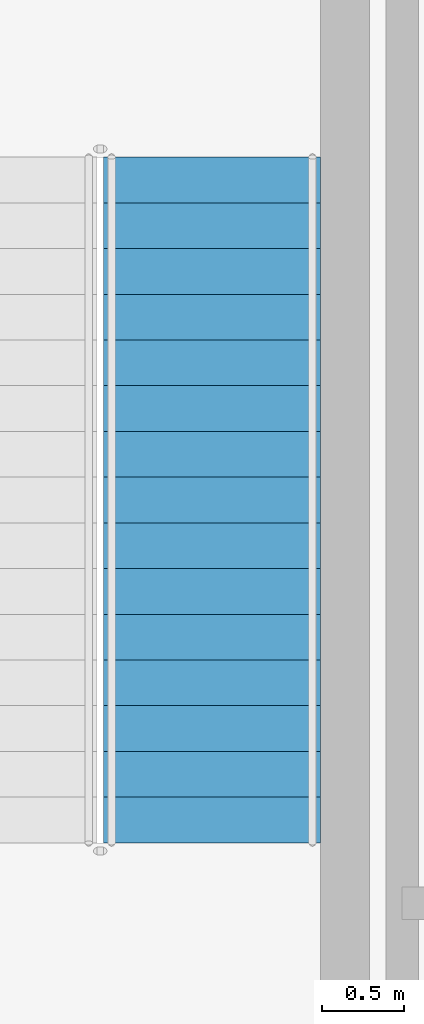
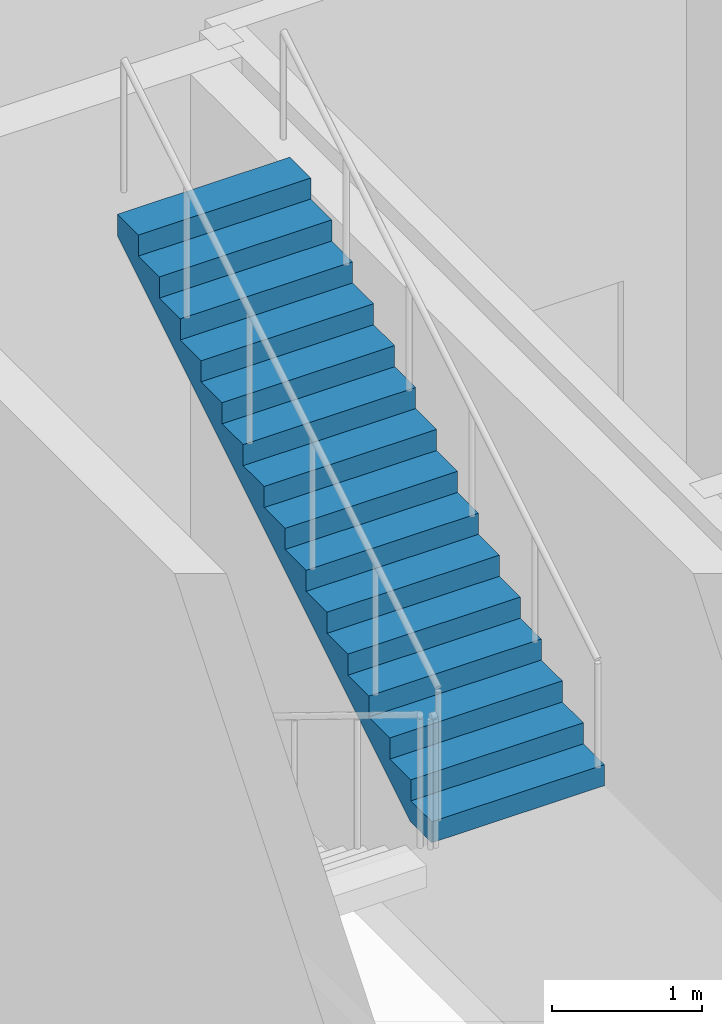
# One storey, part 16 of 31: 1 stair flight, 1 element without a shape of its own.
"""IFC4 building model written with IfcOpenShell, lengths in metres."""

from ifc_helpers import new_model, si_unit, direction, frame, origin, place, context, subcontext, project, spatial, triangles, source, transform, mapped, material, type_object, element, aggregate, save


model = new_model("IFC4")

# Units and contexts
model_context = context("Model", 3, precision=1e-05, world=origin(), true_north=direction((0.0, 1.0)))
body_context = subcontext(model_context, "Body", "Model", "MODEL_VIEW")
ifc_project = project(units=[si_unit("LENGTHUNIT", "METRE"), si_unit("AREAUNIT", "SQUARE_METRE"), si_unit("VOLUMEUNIT", "CUBIC_METRE"), si_unit("PLANEANGLEUNIT", "RADIAN"), si_unit("MASSUNIT", "GRAM", prefix="KILO")], contexts=[model_context])

# Site, building, storey
site_placement = place(None, origin())
site = spatial("IfcSite", under=ifc_project, at=site_placement, CompositionType="ELEMENT")
building_placement = place(site_placement, origin())
building = spatial("IfcBuilding", under=site, at=building_placement, Name="Ogive Portal Towers", CompositionType="ELEMENT")
storey_placement = place(building_placement, frame((0.0, 0.0, 8.0)))
storey = spatial("IfcBuildingStorey", under=building, at=storey_placement, Name="L01", CompositionType="ELEMENT", Elevation=8.0)

# Stair, stair flight
ifc_material = material(Name="Concrete C40/50", Category="concrete")
stair_type = type_object("IfcStairType", Name="INT-STAIR", PredefinedType="HALF_TURN_STAIR", material=ifc_material)
stair_placement = place(storey_placement, origin())
stair = element("IfcStair", 1, at=stair_placement, inside=storey, type_object=stair_type, Name="L01 Exit Stair ST-A4", PredefinedType="HALF_TURN_STAIR")
stair_flight_type = type_object("IfcStairFlightType", Name="INT-FLIGHT", PredefinedType="STRAIGHT", material=ifc_material)
shared_shape = source(origin(), body_context, "Body", "Tessellation", [
    triangles([(0.0, -0.6650390625, 0.0), (0.0, -0.384765625, 0.0), (0.0, -0.197021484375, 0.0), (0.0, -0.0830078125, 0.0), (0.0, -0.024658203125, 0.0), (0.0, -0.003173828125, 0.0), (0.0, 0.0, 0.0), (0.0, 0.003173828125, 0.0), (0.0, 0.024658203125, 0.0), (0.0, 0.0830078125, 0.0), (0.0, 0.197021484375, 0.0), (0.0, 0.384765625, 0.0), (0.0, 0.6650390625, 0.0), (0.0, -0.6650390625, 0.171875), (0.0, -0.384765625, 0.171875), (0.0, -0.197021484375, 0.171875), (0.0, -0.0830078125, 0.171875), (0.0, -0.024658203125, 0.171875), (0.0, -0.003173828125, 0.171875), (0.0, 0.0, 0.171875), (0.0, 0.003173828125, 0.171875), (0.0, 0.024658203125, 0.171875), (0.0, 0.0830078125, 0.171875), (0.0, 0.197021484375, 0.171875), (0.0, 0.384765625, 0.171875), (0.0, 0.6650390625, 0.171875), (0.280029296875, -0.6650390625, 0.171875), (0.280029296875, -0.384765625, 0.171875), (0.280029296875, -0.197021484375, 0.171875), (0.280029296875, -0.0830078125, 0.171875), (0.280029296875, -0.024658203125, 0.171875), (0.280029296875, -0.003173828125, 0.171875), (0.280029296875, 0.0, 0.171875), (0.280029296875, 0.003173828125, 0.171875), (0.280029296875, 0.024658203125, 0.171875), (0.280029296875, 0.0830078125, 0.171875), (0.280029296875, 0.197021484375, 0.171875), (0.280029296875, 0.384765625, 0.171875), (0.280029296875, 0.6650390625, 0.171875), (0.280029296875, -0.6650390625, 0.34375), (0.280029296875, -0.384765625, 0.34375), (0.280029296875, -0.197021484375, 0.34375), (0.280029296875, -0.0830078125, 0.34375), (0.280029296875, -0.024658203125, 0.34375), (0.280029296875, -0.003173828125, 0.34375), (0.280029296875, 0.0, 0.34375), (0.280029296875, 0.003173828125, 0.34375), (0.280029296875, 0.024658203125, 0.34375), (0.280029296875, 0.0830078125, 0.34375), (0.280029296875, 0.197021484375, 0.34375), (0.280029296875, 0.384765625, 0.34375), (0.280029296875, 0.6650390625, 0.34375), (0.56005859375, -0.6650390625, 0.34375), (0.56005859375, -0.384765625, 0.34375), (0.56005859375, -0.197021484375, 0.34375), (0.56005859375, -0.0830078125, 0.34375), (0.56005859375, -0.024658203125, 0.34375), (0.56005859375, -0.003173828125, 0.34375), (0.56005859375, 0.0, 0.34375), (0.56005859375, 0.003173828125, 0.34375), (0.56005859375, 0.024658203125, 0.34375), (0.56005859375, 0.0830078125, 0.34375), (0.56005859375, 0.197021484375, 0.34375), (0.56005859375, 0.384765625, 0.34375), (0.56005859375, 0.6650390625, 0.34375), (0.56005859375, -0.6650390625, 0.515625), (0.56005859375, -0.384765625, 0.515625), (0.56005859375, -0.197021484375, 0.515625), (0.56005859375, -0.0830078125, 0.515625), (0.56005859375, -0.024658203125, 0.515625), (0.56005859375, -0.003173828125, 0.515625), (0.56005859375, 0.0, 0.515625), (0.56005859375, 0.003173828125, 0.515625), (0.56005859375, 0.024658203125, 0.515625), (0.56005859375, 0.0830078125, 0.515625), (0.56005859375, 0.197021484375, 0.515625), (0.56005859375, 0.384765625, 0.515625), (0.56005859375, 0.6650390625, 0.515625), (0.840087890625, -0.6650390625, 0.515625), (0.840087890625, -0.384765625, 0.515625), (0.840087890625, -0.197021484375, 0.515625), (0.840087890625, -0.0830078125, 0.515625), (0.840087890625, -0.024658203125, 0.515625), (0.840087890625, -0.003173828125, 0.515625), (0.840087890625, 0.0, 0.515625), (0.840087890625, 0.003173828125, 0.515625), (0.840087890625, 0.024658203125, 0.515625), (0.840087890625, 0.0830078125, 0.515625), (0.840087890625, 0.197021484375, 0.515625), (0.840087890625, 0.384765625, 0.515625), (0.840087890625, 0.6650390625, 0.515625), (0.840087890625, -0.6650390625, 0.6875), (0.840087890625, -0.384765625, 0.6875), (0.840087890625, -0.197021484375, 0.6875), (0.840087890625, -0.0830078125, 0.6875), (0.840087890625, -0.024658203125, 0.6875), (0.840087890625, -0.003173828125, 0.6875), (0.840087890625, 0.0, 0.6875), (0.840087890625, 0.003173828125, 0.6875), (0.840087890625, 0.024658203125, 0.6875), (0.840087890625, 0.0830078125, 0.6875), (0.840087890625, 0.197021484375, 0.6875), (0.840087890625, 0.384765625, 0.6875), (0.840087890625, 0.6650390625, 0.6875), (1.1201171875, -0.6650390625, 0.6875), (1.1201171875, -0.384765625, 0.6875), (1.1201171875, -0.197021484375, 0.6875), (1.1201171875, -0.0830078125, 0.6875), (1.1201171875, -0.024658203125, 0.6875), (1.1201171875, -0.003173828125, 0.6875), (1.1201171875, 0.0, 0.6875), (1.1201171875, 0.003173828125, 0.6875), (1.1201171875, 0.024658203125, 0.6875), (1.1201171875, 0.0830078125, 0.6875), (1.1201171875, 0.197021484375, 0.6875), (1.1201171875, 0.384765625, 0.6875), (1.1201171875, 0.6650390625, 0.6875), (1.1201171875, -0.6650390625, 0.859375), (1.1201171875, -0.384765625, 0.859375), (1.1201171875, -0.197021484375, 0.859375), (1.1201171875, -0.0830078125, 0.859375), (1.1201171875, -0.024658203125, 0.859375), (1.1201171875, -0.003173828125, 0.859375), (1.1201171875, 0.0, 0.859375), (1.1201171875, 0.003173828125, 0.859375), (1.1201171875, 0.024658203125, 0.859375), (1.1201171875, 0.0830078125, 0.859375), (1.1201171875, 0.197021484375, 0.859375), (1.1201171875, 0.384765625, 0.859375), (1.1201171875, 0.6650390625, 0.859375), (1.39990234375, -0.6650390625, 0.859375), (1.39990234375, -0.384765625, 0.859375), (1.39990234375, -0.197021484375, 0.859375), (1.39990234375, -0.0830078125, 0.859375), (1.39990234375, -0.024658203125, 0.859375), (1.39990234375, -0.003173828125, 0.859375), (1.39990234375, 0.0, 0.859375), (1.39990234375, 0.003173828125, 0.859375), (1.39990234375, 0.024658203125, 0.859375), (1.39990234375, 0.0830078125, 0.859375), (1.39990234375, 0.197021484375, 0.859375), (1.39990234375, 0.384765625, 0.859375), (1.39990234375, 0.6650390625, 0.859375), (1.39990234375, -0.6650390625, 1.03125), (1.39990234375, -0.384765625, 1.03125), (1.39990234375, -0.197021484375, 1.03125), (1.39990234375, -0.0830078125, 1.03125), (1.39990234375, -0.024658203125, 1.03125), (1.39990234375, -0.003173828125, 1.03125), (1.39990234375, 0.0, 1.03125), (1.39990234375, 0.003173828125, 1.03125), (1.39990234375, 0.024658203125, 1.03125), (1.39990234375, 0.0830078125, 1.03125), (1.39990234375, 0.197021484375, 1.03125), (1.39990234375, 0.384765625, 1.03125), (1.39990234375, 0.6650390625, 1.03125), (1.679931640625, -0.6650390625, 1.03125), (1.679931640625, -0.384765625, 1.03125), (1.679931640625, -0.197021484375, 1.03125), (1.679931640625, -0.0830078125, 1.03125), (1.679931640625, -0.024658203125, 1.03125), (1.679931640625, -0.003173828125, 1.03125), (1.679931640625, 0.0, 1.03125), (1.679931640625, 0.003173828125, 1.03125), (1.679931640625, 0.024658203125, 1.03125), (1.679931640625, 0.0830078125, 1.03125), (1.679931640625, 0.197021484375, 1.03125), (1.679931640625, 0.384765625, 1.03125), (1.679931640625, 0.6650390625, 1.03125), (1.679931640625, -0.6650390625, 1.203125), (1.679931640625, -0.384765625, 1.203125), (1.679931640625, -0.197021484375, 1.203125), (1.679931640625, -0.0830078125, 1.203125), (1.679931640625, -0.024658203125, 1.203125), (1.679931640625, -0.003173828125, 1.203125), (1.679931640625, 0.0, 1.203125), (1.679931640625, 0.003173828125, 1.203125), (1.679931640625, 0.024658203125, 1.203125), (1.679931640625, 0.0830078125, 1.203125), (1.679931640625, 0.197021484375, 1.203125), (1.679931640625, 0.384765625, 1.203125), (1.679931640625, 0.6650390625, 1.203125), (1.9599609375, -0.6650390625, 1.203125), (1.9599609375, -0.384765625, 1.203125), (1.9599609375, -0.197021484375, 1.203125), (1.9599609375, -0.0830078125, 1.203125), (1.9599609375, -0.024658203125, 1.203125), (1.9599609375, -0.003173828125, 1.203125), (1.9599609375, 0.0, 1.203125), (1.9599609375, 0.003173828125, 1.203125), (1.9599609375, 0.024658203125, 1.203125), (1.9599609375, 0.0830078125, 1.203125), (1.9599609375, 0.197021484375, 1.203125), (1.9599609375, 0.384765625, 1.203125), (1.9599609375, 0.6650390625, 1.203125), (1.9599609375, -0.6650390625, 1.375), (1.9599609375, -0.384765625, 1.375), (1.9599609375, -0.197021484375, 1.375), (1.9599609375, -0.0830078125, 1.375), (1.9599609375, -0.024658203125, 1.375), (1.9599609375, -0.003173828125, 1.375), (1.9599609375, 0.0, 1.375), (1.9599609375, 0.003173828125, 1.375), (1.9599609375, 0.024658203125, 1.375), (1.9599609375, 0.0830078125, 1.375), (1.9599609375, 0.197021484375, 1.375), (1.9599609375, 0.384765625, 1.375), (1.9599609375, 0.6650390625, 1.375), (2.239990234375, -0.6650390625, 1.375), (2.239990234375, -0.384765625, 1.375), (2.239990234375, -0.197021484375, 1.375), (2.239990234375, -0.0830078125, 1.375), (2.239990234375, -0.024658203125, 1.375), (2.239990234375, -0.003173828125, 1.375), (2.239990234375, 0.0, 1.375), (2.239990234375, 0.003173828125, 1.375), (2.239990234375, 0.024658203125, 1.375), (2.239990234375, 0.0830078125, 1.375), (2.239990234375, 0.197021484375, 1.375), (2.239990234375, 0.384765625, 1.375), (2.239990234375, 0.6650390625, 1.375), (2.239990234375, -0.6650390625, 1.546875), (2.239990234375, -0.384765625, 1.546875), (2.239990234375, -0.197021484375, 1.546875), (2.239990234375, -0.0830078125, 1.546875), (2.239990234375, -0.024658203125, 1.546875), (2.239990234375, -0.003173828125, 1.546875), (2.239990234375, 0.0, 1.546875), (2.239990234375, 0.003173828125, 1.546875), (2.239990234375, 0.024658203125, 1.546875), (2.239990234375, 0.0830078125, 1.546875), (2.239990234375, 0.197021484375, 1.546875), (2.239990234375, 0.384765625, 1.546875), (2.239990234375, 0.6650390625, 1.546875), (2.52001953125, -0.6650390625, 1.546875), (2.52001953125, -0.384765625, 1.546875), (2.52001953125, -0.197021484375, 1.546875), (2.52001953125, -0.0830078125, 1.546875), (2.52001953125, -0.024658203125, 1.546875), (2.52001953125, -0.003173828125, 1.546875), (2.52001953125, 0.0, 1.546875), (2.52001953125, 0.003173828125, 1.546875), (2.52001953125, 0.024658203125, 1.546875), (2.52001953125, 0.0830078125, 1.546875), (2.52001953125, 0.197021484375, 1.546875), (2.52001953125, 0.384765625, 1.546875), (2.52001953125, 0.6650390625, 1.546875), (2.52001953125, -0.6650390625, 1.71875), (2.52001953125, -0.384765625, 1.71875), (2.52001953125, -0.197021484375, 1.71875), (2.52001953125, -0.0830078125, 1.71875), (2.52001953125, -0.024658203125, 1.71875), (2.52001953125, -0.003173828125, 1.71875), (2.52001953125, 0.0, 1.71875), (2.52001953125, 0.003173828125, 1.71875), (2.52001953125, 0.024658203125, 1.71875), (2.52001953125, 0.0830078125, 1.71875), (2.52001953125, 0.197021484375, 1.71875), (2.52001953125, 0.384765625, 1.71875), (2.52001953125, 0.6650390625, 1.71875), (2.800048828125, -0.6650390625, 1.71875), (2.800048828125, -0.384765625, 1.71875), (2.800048828125, -0.197021484375, 1.71875), (2.800048828125, -0.0830078125, 1.71875), (2.800048828125, -0.024658203125, 1.71875), (2.800048828125, -0.003173828125, 1.71875), (2.800048828125, 0.0, 1.71875), (2.800048828125, 0.003173828125, 1.71875), (2.800048828125, 0.024658203125, 1.71875), (2.800048828125, 0.0830078125, 1.71875), (2.800048828125, 0.197021484375, 1.71875), (2.800048828125, 0.384765625, 1.71875), (2.800048828125, 0.6650390625, 1.71875), (2.800048828125, -0.6650390625, 1.890625), (2.800048828125, -0.384765625, 1.890625), (2.800048828125, -0.197021484375, 1.890625), (2.800048828125, -0.0830078125, 1.890625), (2.800048828125, -0.024658203125, 1.890625), (2.800048828125, -0.003173828125, 1.890625), (2.800048828125, 0.0, 1.890625), (2.800048828125, 0.003173828125, 1.890625), (2.800048828125, 0.024658203125, 1.890625), (2.800048828125, 0.0830078125, 1.890625), (2.800048828125, 0.197021484375, 1.890625), (2.800048828125, 0.384765625, 1.890625), (2.800048828125, 0.6650390625, 1.890625), (3.080078125, -0.6650390625, 1.890625), (3.080078125, -0.384765625, 1.890625), (3.080078125, -0.197021484375, 1.890625), (3.080078125, -0.0830078125, 1.890625), (3.080078125, -0.024658203125, 1.890625), (3.080078125, -0.003173828125, 1.890625), (3.080078125, 0.0, 1.890625), (3.080078125, 0.003173828125, 1.890625), (3.080078125, 0.024658203125, 1.890625), (3.080078125, 0.0830078125, 1.890625), (3.080078125, 0.197021484375, 1.890625), (3.080078125, 0.384765625, 1.890625), (3.080078125, 0.6650390625, 1.890625), (3.080078125, -0.6650390625, 2.0625), (3.080078125, -0.384765625, 2.0625), (3.080078125, -0.197021484375, 2.0625), (3.080078125, -0.0830078125, 2.0625), (3.080078125, -0.024658203125, 2.0625), (3.080078125, -0.003173828125, 2.0625), (3.080078125, 0.0, 2.0625), (3.080078125, 0.003173828125, 2.0625), (3.080078125, 0.024658203125, 2.0625), (3.080078125, 0.0830078125, 2.0625), (3.080078125, 0.197021484375, 2.0625), (3.080078125, 0.384765625, 2.0625), (3.080078125, 0.6650390625, 2.0625), (3.360107421875, -0.6650390625, 2.0625), (3.360107421875, -0.384765625, 2.0625), (3.360107421875, -0.197021484375, 2.0625), (3.360107421875, -0.0830078125, 2.0625), (3.360107421875, -0.024658203125, 2.0625), (3.360107421875, -0.003173828125, 2.0625), (3.360107421875, 0.0, 2.0625), (3.360107421875, 0.003173828125, 2.0625), (3.360107421875, 0.024658203125, 2.0625), (3.360107421875, 0.0830078125, 2.0625), (3.360107421875, 0.197021484375, 2.0625), (3.360107421875, 0.384765625, 2.0625), (3.360107421875, 0.6650390625, 2.0625), (3.360107421875, -0.6650390625, 2.234375), (3.360107421875, -0.384765625, 2.234375), (3.360107421875, -0.197021484375, 2.234375), (3.360107421875, -0.0830078125, 2.234375), (3.360107421875, -0.024658203125, 2.234375), (3.360107421875, -0.003173828125, 2.234375), (3.360107421875, 0.0, 2.234375), (3.360107421875, 0.003173828125, 2.234375), (3.360107421875, 0.024658203125, 2.234375), (3.360107421875, 0.0830078125, 2.234375), (3.360107421875, 0.197021484375, 2.234375), (3.360107421875, 0.384765625, 2.234375), (3.360107421875, 0.6650390625, 2.234375), (3.639892578125, -0.6650390625, 2.234375), (3.639892578125, -0.384765625, 2.234375), (3.639892578125, -0.197021484375, 2.234375), (3.639892578125, -0.0830078125, 2.234375), (3.639892578125, -0.024658203125, 2.234375), (3.639892578125, -0.003173828125, 2.234375), (3.639892578125, 0.0, 2.234375), (3.639892578125, 0.003173828125, 2.234375), (3.639892578125, 0.024658203125, 2.234375), (3.639892578125, 0.0830078125, 2.234375), (3.639892578125, 0.197021484375, 2.234375), (3.639892578125, 0.384765625, 2.234375), (3.639892578125, 0.6650390625, 2.234375), (3.639892578125, -0.6650390625, 2.40625), (3.639892578125, -0.384765625, 2.40625), (3.639892578125, -0.197021484375, 2.40625), (3.639892578125, -0.0830078125, 2.40625), (3.639892578125, -0.024658203125, 2.40625), (3.639892578125, -0.003173828125, 2.40625), (3.639892578125, 0.0, 2.40625), (3.639892578125, 0.003173828125, 2.40625), (3.639892578125, 0.024658203125, 2.40625), (3.639892578125, 0.0830078125, 2.40625), (3.639892578125, 0.197021484375, 2.40625), (3.639892578125, 0.384765625, 2.40625), (3.639892578125, 0.6650390625, 2.40625), (3.919921875, -0.6650390625, 2.40625), (3.919921875, -0.384765625, 2.40625), (3.919921875, -0.197021484375, 2.40625), (3.919921875, -0.0830078125, 2.40625), (3.919921875, -0.024658203125, 2.40625), (3.919921875, -0.003173828125, 2.40625), (3.919921875, 0.0, 2.40625), (3.919921875, 0.003173828125, 2.40625), (3.919921875, 0.024658203125, 2.40625), (3.919921875, 0.0830078125, 2.40625), (3.919921875, 0.197021484375, 2.40625), (3.919921875, 0.384765625, 2.40625), (3.919921875, 0.6650390625, 2.40625), (3.919921875, -0.6650390625, 2.578125), (3.919921875, -0.384765625, 2.578125), (3.919921875, -0.197021484375, 2.578125), (3.919921875, -0.0830078125, 2.578125), (3.919921875, -0.024658203125, 2.578125), (3.919921875, -0.003173828125, 2.578125), (3.919921875, 0.0, 2.578125), (3.919921875, 0.003173828125, 2.578125), (3.919921875, 0.024658203125, 2.578125), (3.919921875, 0.0830078125, 2.578125), (3.919921875, 0.197021484375, 2.578125), (3.919921875, 0.384765625, 2.578125), (3.919921875, 0.6650390625, 2.578125), (4.199951171875, -0.6650390625, 2.578125), (4.199951171875, -0.384765625, 2.578125), (4.199951171875, -0.197021484375, 2.578125), (4.199951171875, -0.0830078125, 2.578125), (4.199951171875, -0.024658203125, 2.578125), (4.199951171875, -0.003173828125, 2.578125), (4.199951171875, 0.0, 2.578125), (4.199951171875, 0.003173828125, 2.578125), (4.199951171875, 0.024658203125, 2.578125), (4.199951171875, 0.0830078125, 2.578125), (4.199951171875, 0.197021484375, 2.578125), (4.199951171875, 0.384765625, 2.578125), (4.199951171875, 0.6650390625, 2.578125), (4.199951171875, -0.6650390625, 2.40234375), (4.199951171875, -0.384765625, 2.40234375), (4.199951171875, -0.197021484375, 2.40234375), (4.199951171875, -0.0830078125, 2.40234375), (4.199951171875, -0.024658203125, 2.40234375), (4.199951171875, -0.003173828125, 2.40234375), (4.199951171875, 0.0, 2.40234375), (4.199951171875, 0.003173828125, 2.40234375), (4.199951171875, 0.024658203125, 2.40234375), (4.199951171875, 0.0830078125, 2.40234375), (4.199951171875, 0.197021484375, 2.40234375), (4.199951171875, 0.384765625, 2.40234375), (4.199951171875, 0.6650390625, 2.40234375), (0.28662109375, -0.6650390625, 0.0), (0.28662109375, -0.384765625, 0.0), (0.28662109375, -0.197021484375, 0.0), (0.28662109375, -0.0830078125, 0.0), (0.28662109375, -0.024658203125, 0.0), (0.28662109375, -0.003173828125, 0.0), (0.28662109375, 0.0, 0.0), (0.28662109375, 0.003173828125, 0.0), (0.28662109375, 0.024658203125, 0.0), (0.28662109375, 0.0830078125, 0.0), (0.28662109375, 0.197021484375, 0.0), (0.28662109375, 0.384765625, 0.0), (0.28662109375, 0.6650390625, 0.0)], [[1, 14, 15], [1, 15, 2], [2, 15, 16], [2, 16, 3], [3, 16, 17], [3, 17, 4], [4, 17, 18], [4, 18, 5], [5, 18, 19], [5, 19, 6], [6, 19, 20], [6, 20, 7], [7, 20, 21], [7, 21, 8], [8, 21, 22], [8, 22, 9], [9, 22, 23], [9, 23, 10], [10, 23, 24], [10, 24, 11], [11, 24, 25], [11, 25, 12], [12, 25, 26], [12, 26, 13], [14, 27, 28], [14, 28, 15], [15, 28, 29], [15, 29, 16], [16, 29, 30], [16, 30, 17], [17, 30, 31], [17, 31, 18], [18, 31, 32], [18, 32, 19], [19, 32, 33], [19, 33, 20], [20, 33, 34], [20, 34, 21], [21, 34, 35], [21, 35, 22], [22, 35, 36], [22, 36, 23], [23, 36, 37], [23, 37, 24], [24, 37, 38], [24, 38, 25], [25, 38, 39], [25, 39, 26], [27, 40, 41], [27, 41, 28], [28, 41, 42], [28, 42, 29], [29, 42, 43], [29, 43, 30], [30, 43, 44], [30, 44, 31], [31, 44, 45], [31, 45, 32], [32, 45, 46], [32, 46, 33], [33, 46, 47], [33, 47, 34], [34, 47, 48], [34, 48, 35], [35, 48, 49], [35, 49, 36], [36, 49, 50], [36, 50, 37], [37, 50, 51], [37, 51, 38], [38, 51, 52], [38, 52, 39], [40, 53, 54], [40, 54, 41], [41, 54, 55], [41, 55, 42], [42, 55, 56], [42, 56, 43], [43, 56, 57], [43, 57, 44], [44, 57, 58], [44, 58, 45], [45, 58, 59], [45, 59, 46], [46, 59, 60], [46, 60, 47], [47, 60, 61], [47, 61, 48], [48, 61, 62], [48, 62, 49], [49, 62, 63], [49, 63, 50], [50, 63, 64], [50, 64, 51], [51, 64, 65], [51, 65, 52], [53, 66, 67], [53, 67, 54], [54, 67, 68], [54, 68, 55], [55, 68, 69], [55, 69, 56], [56, 69, 70], [56, 70, 57], [57, 70, 71], [57, 71, 58], [58, 71, 72], [58, 72, 59], [59, 72, 73], [59, 73, 60], [60, 73, 74], [60, 74, 61], [61, 74, 75], [61, 75, 62], [62, 75, 76], [62, 76, 63], [63, 76, 77], [63, 77, 64], [64, 77, 78], [64, 78, 65], [66, 79, 80], [66, 80, 67], [67, 80, 81], [67, 81, 68], [68, 81, 82], [68, 82, 69], [69, 82, 83], [69, 83, 70], [70, 83, 84], [70, 84, 71], [71, 84, 85], [71, 85, 72], [72, 85, 86], [72, 86, 73], [73, 86, 87], [73, 87, 74], [74, 87, 88], [74, 88, 75], [75, 88, 89], [75, 89, 76], [76, 89, 90], [76, 90, 77], [77, 90, 91], [77, 91, 78], [79, 92, 93], [79, 93, 80], [80, 93, 94], [80, 94, 81], [81, 94, 95], [81, 95, 82], [82, 95, 96], [82, 96, 83], [83, 96, 97], [83, 97, 84], [84, 97, 98], [84, 98, 85], [85, 98, 99], [85, 99, 86], [86, 99, 100], [86, 100, 87], [87, 100, 101], [87, 101, 88], [88, 101, 102], [88, 102, 89], [89, 102, 103], [89, 103, 90], [90, 103, 104], [90, 104, 91], [92, 105, 106], [92, 106, 93], [93, 106, 107], [93, 107, 94], [94, 107, 108], [94, 108, 95], [95, 108, 109], [95, 109, 96], [96, 109, 110], [96, 110, 97], [97, 110, 111], [97, 111, 98], [98, 111, 112], [98, 112, 99], [99, 112, 113], [99, 113, 100], [100, 113, 114], [100, 114, 101], [101, 114, 115], [101, 115, 102], [102, 115, 116], [102, 116, 103], [103, 116, 117], [103, 117, 104], [105, 118, 119], [105, 119, 106], [106, 119, 120], [106, 120, 107], [107, 120, 121], [107, 121, 108], [108, 121, 122], [108, 122, 109], [109, 122, 123], [109, 123, 110], [110, 123, 124], [110, 124, 111], [111, 124, 125], [111, 125, 112], [112, 125, 126], [112, 126, 113], [113, 126, 127], [113, 127, 114], [114, 127, 128], [114, 128, 115], [115, 128, 129], [115, 129, 116], [116, 129, 130], [116, 130, 117], [118, 131, 132], [118, 132, 119], [119, 132, 133], [119, 133, 120], [120, 133, 134], [120, 134, 121], [121, 134, 135], [121, 135, 122], [122, 135, 136], [122, 136, 123], [123, 136, 137], [123, 137, 124], [124, 137, 138], [124, 138, 125], [125, 138, 139], [125, 139, 126], [126, 139, 140], [126, 140, 127], [127, 140, 141], [127, 141, 128], [128, 141, 142], [128, 142, 129], [129, 142, 143], [129, 143, 130], [131, 144, 145], [131, 145, 132], [132, 145, 146], [132, 146, 133], [133, 146, 147], [133, 147, 134], [134, 147, 148], [134, 148, 135], [135, 148, 149], [135, 149, 136], [136, 149, 150], [136, 150, 137], [137, 150, 151], [137, 151, 138], [138, 151, 152], [138, 152, 139], [139, 152, 153], [139, 153, 140], [140, 153, 154], [140, 154, 141], [141, 154, 155], [141, 155, 142], [142, 155, 156], [142, 156, 143], [144, 157, 158], [144, 158, 145], [145, 158, 159], [145, 159, 146], [146, 159, 160], [146, 160, 147], [147, 160, 161], [147, 161, 148], [148, 161, 162], [148, 162, 149], [149, 162, 163], [149, 163, 150], [150, 163, 164], [150, 164, 151], [151, 164, 165], [151, 165, 152], [152, 165, 166], [152, 166, 153], [153, 166, 167], [153, 167, 154], [154, 167, 168], [154, 168, 155], [155, 168, 169], [155, 169, 156], [157, 170, 171], [157, 171, 158], [158, 171, 172], [158, 172, 159], [159, 172, 173], [159, 173, 160], [160, 173, 174], [160, 174, 161], [161, 174, 175], [161, 175, 162], [162, 175, 176], [162, 176, 163], [163, 176, 177], [163, 177, 164], [164, 177, 178], [164, 178, 165], [165, 178, 179], [165, 179, 166], [166, 179, 180], [166, 180, 167], [167, 180, 181], [167, 181, 168], [168, 181, 182], [168, 182, 169], [170, 183, 184], [170, 184, 171], [171, 184, 185], [171, 185, 172], [172, 185, 186], [172, 186, 173], [173, 186, 187], [173, 187, 174], [174, 187, 188], [174, 188, 175], [175, 188, 189], [175, 189, 176], [176, 189, 190], [176, 190, 177], [177, 190, 191], [177, 191, 178], [178, 191, 192], [178, 192, 179], [179, 192, 193], [179, 193, 180], [180, 193, 194], [180, 194, 181], [181, 194, 195], [181, 195, 182], [183, 196, 197], [183, 197, 184], [184, 197, 198], [184, 198, 185], [185, 198, 199], [185, 199, 186], [186, 199, 200], [186, 200, 187], [187, 200, 201], [187, 201, 188], [188, 201, 202], [188, 202, 189], [189, 202, 203], [189, 203, 190], [190, 203, 204], [190, 204, 191], [191, 204, 205], [191, 205, 192], [192, 205, 206], [192, 206, 193], [193, 206, 207], [193, 207, 194], [194, 207, 208], [194, 208, 195], [196, 209, 210], [196, 210, 197], [197, 210, 211], [197, 211, 198], [198, 211, 212], [198, 212, 199], [199, 212, 213], [199, 213, 200], [200, 213, 214], [200, 214, 201], [201, 214, 215], [201, 215, 202], [202, 215, 216], [202, 216, 203], [203, 216, 217], [203, 217, 204], [204, 217, 218], [204, 218, 205], [205, 218, 219], [205, 219, 206], [206, 219, 220], [206, 220, 207], [207, 220, 221], [207, 221, 208], [209, 222, 223], [209, 223, 210], [210, 223, 224], [210, 224, 211], [211, 224, 225], [211, 225, 212], [212, 225, 226], [212, 226, 213], [213, 226, 227], [213, 227, 214], [214, 227, 228], [214, 228, 215], [215, 228, 229], [215, 229, 216], [216, 229, 230], [216, 230, 217], [217, 230, 231], [217, 231, 218], [218, 231, 232], [218, 232, 219], [219, 232, 233], [219, 233, 220], [220, 233, 234], [220, 234, 221], [222, 235, 236], [222, 236, 223], [223, 236, 237], [223, 237, 224], [224, 237, 238], [224, 238, 225], [225, 238, 239], [225, 239, 226], [226, 239, 240], [226, 240, 227], [227, 240, 241], [227, 241, 228], [228, 241, 242], [228, 242, 229], [229, 242, 243], [229, 243, 230], [230, 243, 244], [230, 244, 231], [231, 244, 245], [231, 245, 232], [232, 245, 246], [232, 246, 233], [233, 246, 247], [233, 247, 234], [235, 248, 249], [235, 249, 236], [236, 249, 250], [236, 250, 237], [237, 250, 251], [237, 251, 238], [238, 251, 252], [238, 252, 239], [239, 252, 253], [239, 253, 240], [240, 253, 254], [240, 254, 241], [241, 254, 255], [241, 255, 242], [242, 255, 256], [242, 256, 243], [243, 256, 257], [243, 257, 244], [244, 257, 258], [244, 258, 245], [245, 258, 259], [245, 259, 246], [246, 259, 260], [246, 260, 247], [248, 261, 262], [248, 262, 249], [249, 262, 263], [249, 263, 250], [250, 263, 264], [250, 264, 251], [251, 264, 265], [251, 265, 252], [252, 265, 266], [252, 266, 253], [253, 266, 267], [253, 267, 254], [254, 267, 268], [254, 268, 255], [255, 268, 269], [255, 269, 256], [256, 269, 270], [256, 270, 257], [257, 270, 271], [257, 271, 258], [258, 271, 272], [258, 272, 259], [259, 272, 273], [259, 273, 260], [261, 274, 275], [261, 275, 262], [262, 275, 276], [262, 276, 263], [263, 276, 277], [263, 277, 264], [264, 277, 278], [264, 278, 265], [265, 278, 279], [265, 279, 266], [266, 279, 280], [266, 280, 267], [267, 280, 281], [267, 281, 268], [268, 281, 282], [268, 282, 269], [269, 282, 283], [269, 283, 270], [270, 283, 284], [270, 284, 271], [271, 284, 285], [271, 285, 272], [272, 285, 286], [272, 286, 273], [274, 287, 288], [274, 288, 275], [275, 288, 289], [275, 289, 276], [276, 289, 290], [276, 290, 277], [277, 290, 291], [277, 291, 278], [278, 291, 292], [278, 292, 279], [279, 292, 293], [279, 293, 280], [280, 293, 294], [280, 294, 281], [281, 294, 295], [281, 295, 282], [282, 295, 296], [282, 296, 283], [283, 296, 297], [283, 297, 284], [284, 297, 298], [284, 298, 285], [285, 298, 299], [285, 299, 286], [287, 300, 301], [287, 301, 288], [288, 301, 302], [288, 302, 289], [289, 302, 303], [289, 303, 290], [290, 303, 304], [290, 304, 291], [291, 304, 305], [291, 305, 292], [292, 305, 306], [292, 306, 293], [293, 306, 307], [293, 307, 294], [294, 307, 308], [294, 308, 295], [295, 308, 309], [295, 309, 296], [296, 309, 310], [296, 310, 297], [297, 310, 311], [297, 311, 298], [298, 311, 312], [298, 312, 299], [300, 313, 314], [300, 314, 301], [301, 314, 315], [301, 315, 302], [302, 315, 316], [302, 316, 303], [303, 316, 317], [303, 317, 304], [304, 317, 318], [304, 318, 305], [305, 318, 319], [305, 319, 306], [306, 319, 320], [306, 320, 307], [307, 320, 321], [307, 321, 308], [308, 321, 322], [308, 322, 309], [309, 322, 323], [309, 323, 310], [310, 323, 324], [310, 324, 311], [311, 324, 325], [311, 325, 312], [313, 326, 327], [313, 327, 314], [314, 327, 328], [314, 328, 315], [315, 328, 329], [315, 329, 316], [316, 329, 330], [316, 330, 317], [317, 330, 331], [317, 331, 318], [318, 331, 332], [318, 332, 319], [319, 332, 333], [319, 333, 320], [320, 333, 334], [320, 334, 321], [321, 334, 335], [321, 335, 322], [322, 335, 336], [322, 336, 323], [323, 336, 337], [323, 337, 324], [324, 337, 338], [324, 338, 325], [326, 339, 340], [326, 340, 327], [327, 340, 341], [327, 341, 328], [328, 341, 342], [328, 342, 329], [329, 342, 343], [329, 343, 330], [330, 343, 344], [330, 344, 331], [331, 344, 345], [331, 345, 332], [332, 345, 346], [332, 346, 333], [333, 346, 347], [333, 347, 334], [334, 347, 348], [334, 348, 335], [335, 348, 349], [335, 349, 336], [336, 349, 350], [336, 350, 337], [337, 350, 351], [337, 351, 338], [339, 352, 353], [339, 353, 340], [340, 353, 354], [340, 354, 341], [341, 354, 355], [341, 355, 342], [342, 355, 356], [342, 356, 343], [343, 356, 357], [343, 357, 344], [344, 357, 358], [344, 358, 345], [345, 358, 359], [345, 359, 346], [346, 359, 360], [346, 360, 347], [347, 360, 361], [347, 361, 348], [348, 361, 362], [348, 362, 349], [349, 362, 363], [349, 363, 350], [350, 363, 364], [350, 364, 351], [352, 365, 366], [352, 366, 353], [353, 366, 367], [353, 367, 354], [354, 367, 368], [354, 368, 355], [355, 368, 369], [355, 369, 356], [356, 369, 370], [356, 370, 357], [357, 370, 371], [357, 371, 358], [358, 371, 372], [358, 372, 359], [359, 372, 373], [359, 373, 360], [360, 373, 374], [360, 374, 361], [361, 374, 375], [361, 375, 362], [362, 375, 376], [362, 376, 363], [363, 376, 377], [363, 377, 364], [365, 378, 379], [365, 379, 366], [366, 379, 380], [366, 380, 367], [367, 380, 381], [367, 381, 368], [368, 381, 382], [368, 382, 369], [369, 382, 383], [369, 383, 370], [370, 383, 384], [370, 384, 371], [371, 384, 385], [371, 385, 372], [372, 385, 386], [372, 386, 373], [373, 386, 387], [373, 387, 374], [374, 387, 388], [374, 388, 375], [375, 388, 389], [375, 389, 376], [376, 389, 390], [376, 390, 377], [378, 391, 392], [378, 392, 379], [379, 392, 393], [379, 393, 380], [380, 393, 394], [380, 394, 381], [381, 394, 395], [381, 395, 382], [382, 395, 396], [382, 396, 383], [383, 396, 397], [383, 397, 384], [384, 397, 398], [384, 398, 385], [385, 398, 399], [385, 399, 386], [386, 399, 400], [386, 400, 387], [387, 400, 401], [387, 401, 388], [388, 401, 402], [388, 402, 389], [389, 402, 403], [389, 403, 390], [391, 404, 405], [391, 405, 392], [392, 405, 406], [392, 406, 393], [393, 406, 407], [393, 407, 394], [394, 407, 408], [394, 408, 395], [395, 408, 409], [395, 409, 396], [396, 409, 410], [396, 410, 397], [397, 410, 411], [397, 411, 398], [398, 411, 412], [398, 412, 399], [399, 412, 413], [399, 413, 400], [400, 413, 414], [400, 414, 401], [401, 414, 415], [401, 415, 402], [402, 415, 416], [402, 416, 403], [404, 417, 418], [404, 418, 405], [405, 418, 419], [405, 419, 406], [406, 419, 420], [406, 420, 407], [407, 420, 421], [407, 421, 408], [408, 421, 422], [408, 422, 409], [409, 422, 423], [409, 423, 410], [410, 423, 424], [410, 424, 411], [411, 424, 425], [411, 425, 412], [412, 425, 426], [412, 426, 413], [413, 426, 427], [413, 427, 414], [414, 427, 428], [414, 428, 415], [415, 428, 429], [415, 429, 416], [417, 1, 2], [417, 2, 418], [418, 2, 3], [418, 3, 419], [419, 3, 4], [419, 4, 420], [420, 4, 5], [420, 5, 421], [421, 5, 6], [421, 6, 422], [422, 6, 7], [422, 7, 423], [423, 7, 8], [423, 8, 424], [424, 8, 9], [424, 9, 425], [425, 9, 10], [425, 10, 426], [426, 10, 11], [426, 11, 427], [427, 11, 12], [427, 12, 428], [428, 12, 13], [428, 13, 429], [1, 417, 404], [13, 416, 429], [404, 391, 378], [416, 390, 403], [404, 378, 365], [416, 377, 390], [404, 365, 352], [416, 364, 377], [404, 352, 339], [416, 351, 364], [339, 326, 313], [351, 325, 338], [404, 339, 313], [416, 325, 351], [313, 300, 287], [325, 299, 312], [404, 313, 287], [416, 299, 325], [287, 274, 261], [299, 273, 286], [404, 287, 261], [416, 273, 299], [261, 248, 235], [273, 247, 260], [404, 261, 235], [416, 247, 273], [235, 222, 209], [247, 221, 234], [404, 235, 209], [416, 221, 247], [209, 196, 183], [221, 195, 208], [404, 209, 183], [416, 195, 221], [183, 170, 157], [195, 169, 182], [404, 183, 157], [416, 169, 195], [157, 144, 131], [169, 143, 156], [404, 157, 131], [416, 143, 169], [131, 118, 105], [143, 117, 130], [404, 131, 105], [416, 117, 143], [105, 92, 79], [117, 91, 104], [404, 105, 79], [416, 91, 117], [79, 66, 53], [91, 65, 78], [404, 79, 53], [416, 65, 91], [53, 40, 27], [65, 39, 52], [404, 53, 27], [416, 39, 65], [1, 404, 27], [13, 39, 416], [27, 14, 1], [39, 13, 26]], closed=True),
])
stair_flight_placement = place(storey_placement, frame((89.034912109375, 24.969970703125, 2.75), z_axis=(0.0, 0.0, 1.0), x_axis=(0.0, 1.0, 0.0)))
stair_flight = element("IfcStairFlight", 2, at=stair_flight_placement, type_object=stair_flight_type, Name="ST-A4 flight 2", NumberOfRisers=16, NumberOfTreads=15, PredefinedType="STRAIGHT", RiserHeight=0.171875, TreadLength=0.28, context=body_context, shape_type="MappedRepresentation", body=[
    mapped(shared_shape, transform((0.0, 0.0, 0.0), scale=1.0)),
])
aggregate(stair, [stair_flight])

save(model, "model.ifc")
